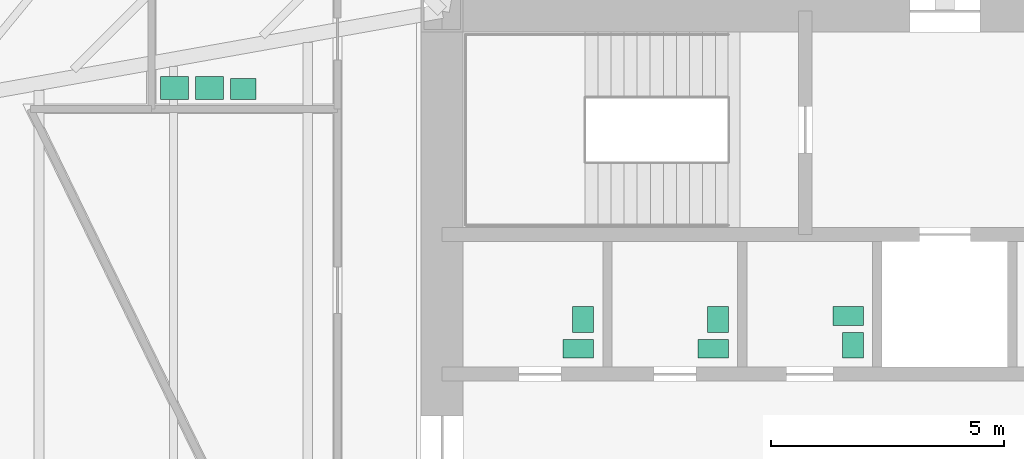
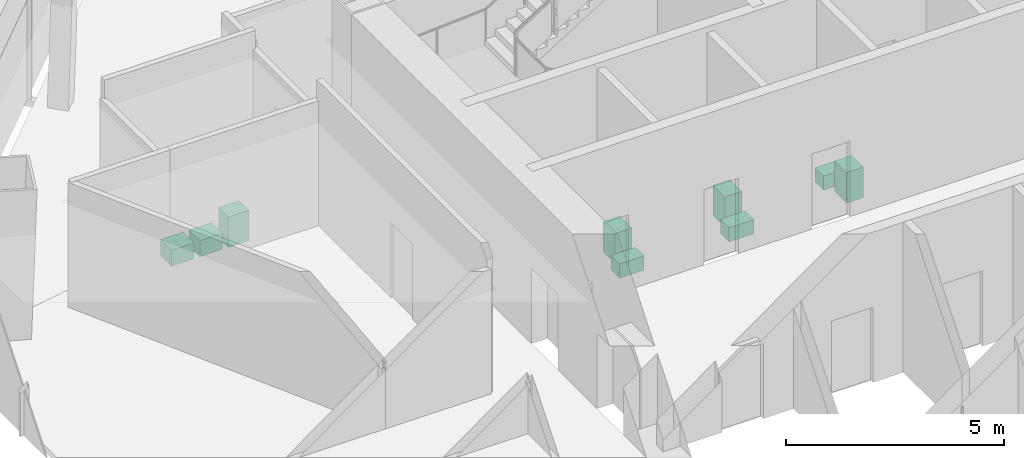
# One storey, part 15 of 15: 9 sanitary terminals.
"""IFC4 building model written with IfcOpenShell, lengths in metres."""

from ifc_helpers import new_model, si_unit, direction, frame, origin, origin_2d, place, context, subcontext, project, spatial, rectangle, extrude, material, type_object, element, save


model = new_model("IFC4")

# Units and contexts
model_context = context("Model", 3, precision=1e-05, world=origin(), true_north=direction((0.0, 1.0)))
body_context = subcontext(model_context, "Body", "Model", "MODEL_VIEW")
ifc_project = project(units=[si_unit("LENGTHUNIT", "METRE"), si_unit("AREAUNIT", "SQUARE_METRE"), si_unit("VOLUMEUNIT", "CUBIC_METRE"), si_unit("PLANEANGLEUNIT", "RADIAN"), si_unit("MASSUNIT", "GRAM", prefix="KILO")], contexts=[model_context])

# Site, building, storey
site_placement = place(None, origin())
site = spatial("IfcSite", under=ifc_project, at=site_placement, CompositionType="ELEMENT")
building_placement = place(site_placement, origin())
building = spatial("IfcBuilding", under=site, at=building_placement, Name="Mashrafa Tower", CompositionType="ELEMENT")
storey_placement = place(building_placement, frame((0.0, 0.0, 172.199951171875)))
storey = spatial("IfcBuildingStorey", under=building, at=storey_placement, Name="L39", CompositionType="ELEMENT", Elevation=172.199951171875)

# Sanitary terminals
ifc_material_1 = material(Name="Stainless steel", Category="steel")
sanitary_terminal_type_1 = type_object("IfcSanitaryTerminalType", Name="Ablution wash station 600 x 500", PredefinedType="WASHHANDBASIN", material=ifc_material_1)
for number, where, z_axis, x_axis, name in (
    (1, (-16.550048828125, 9.14990234375, 0.0), (0.0, 0.0, 1.0), (1.0, 0.0, 0.0), "Ablution wash station Ablution Room L39"),
    (2, (-15.800048828125, 9.14990234375, 0.0), (0.0, 0.0, 1.0), (1.0, 0.0, 0.0), "Ablution wash station Ablution Room L39"),
):
    element("IfcSanitaryTerminal", number, at=place(storey_placement, frame(where, z_axis=z_axis, x_axis=x_axis)), inside=storey, type_object=sanitary_terminal_type_1, Name=name, PredefinedType="WASHHANDBASIN", context=body_context, shape_type="SweptSolid", body=[
        extrude(rectangle(XDim=0.60009765625, YDim=0.5, at=origin_2d()), origin(), (0.0, 0.0, 1.0), 0.449951171875),
    ])
ifc_material_2 = material(Name="Vitreous china")
sanitary_terminal_type_2 = type_object("IfcSanitaryTerminalType", Name="Toilet pan 400 x 650", PredefinedType="TOILETPAN", material=ifc_material_2)
for number, where, z_axis, x_axis, name in (
    (3, (-7.875, 3.550048828125, 0.0), (0.0, 0.0, 1.0), (0.0, 1.0, 0.0), "Toilet pan WC Male L39"),
    (4, (-4.97509765625, 3.550048828125, 0.0), (0.0, 0.0, 1.0), (0.0, 1.0, 0.0), "Toilet pan WC Female L39"),
    (5, (-2.074951171875, 4.25, 0.0), (0.0, 0.0, 1.0), (0.0, 1.0, 0.0), "Toilet pan Accessible WC L39"),
):
    element("IfcSanitaryTerminal", number, at=place(storey_placement, frame(where, z_axis=z_axis, x_axis=x_axis)), inside=storey, type_object=sanitary_terminal_type_2, Name=name, PredefinedType="TOILETPAN", context=body_context, shape_type="SweptSolid", body=[
        extrude(rectangle(XDim=0.39990234375, YDim=0.64990234375, at=origin_2d()), origin(), (0.0, 0.0, 1.0), 0.39990234375),
    ])
ifc_material_3 = material(Name="Vitreous china")
sanitary_terminal_type_3 = type_object("IfcSanitaryTerminalType", Name="Wash basin 550 x 450", PredefinedType="WASHHANDBASIN", material=ifc_material_3)
for number, where, z_axis, x_axis, name in (
    (6, (-7.77490234375, 4.175048828125, 0.0), (0.0, 0.0, 1.0), (0.0, 1.0, 0.0), "Wash basin WC Male L39"),
    (7, (-4.875, 4.175048828125, 0.0), (0.0, 0.0, 1.0), (0.0, 1.0, 0.0), "Wash basin WC Female L39"),
    (8, (-1.97509765625, 3.625, 0.0), (0.0, 0.0, 1.0), (0.0, 1.0, 0.0), "Wash basin Accessible WC L39"),
    (9, (-15.074951171875, 9.125, 0.0), (0.0, 0.0, 1.0), (1.0, 0.0, 0.0), "Wash basin Ablution Room L39"),
):
    element("IfcSanitaryTerminal", number, at=place(storey_placement, frame(where, z_axis=z_axis, x_axis=x_axis)), inside=storey, type_object=sanitary_terminal_type_3, Name=name, PredefinedType="WASHHANDBASIN", context=body_context, shape_type="SweptSolid", body=[
        extrude(rectangle(XDim=0.550048828125, YDim=0.449951171875, at=origin_2d()), origin(), (0.0, 0.0, 1.0), 0.85009765625),
    ])

save(model, "model.ifc")
